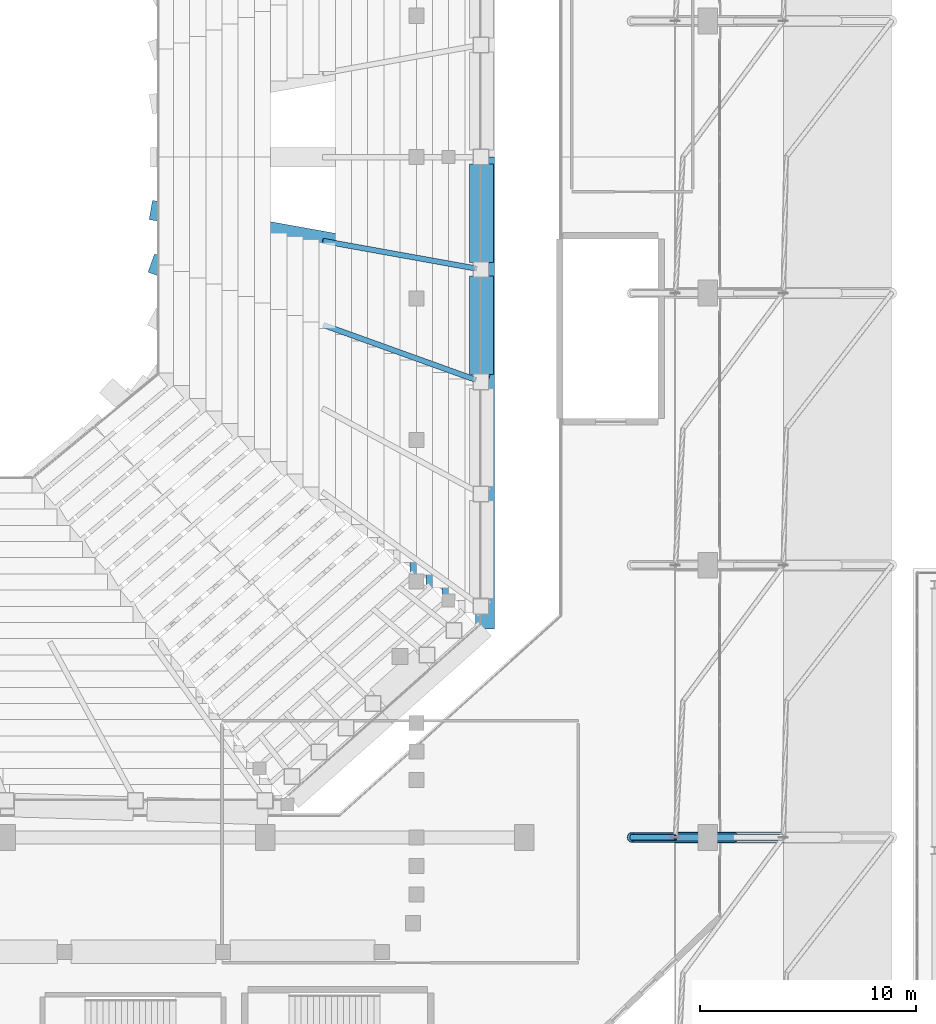
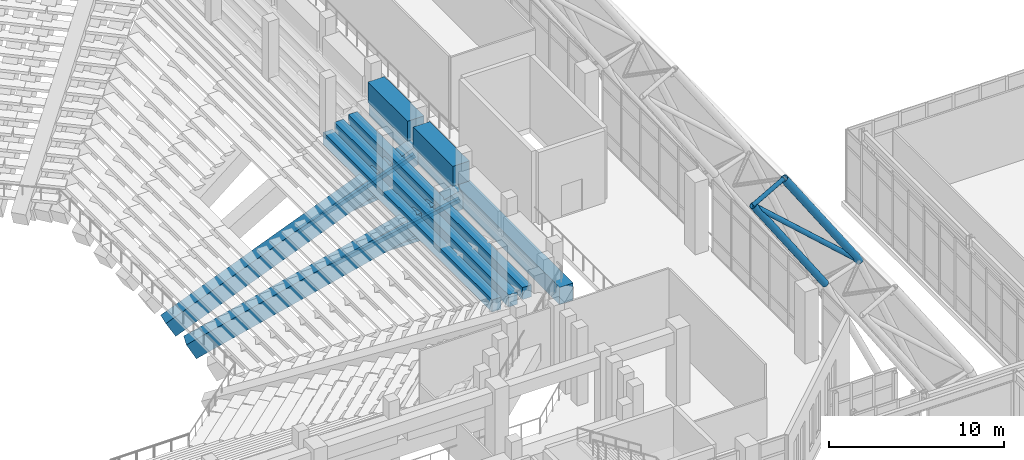
# One storey, part 40 of 159: 8 beams, 8 members.
"""IFC4 building model written with IfcOpenShell, lengths in metres."""

from ifc_helpers import new_model, si_unit, derived_unit, direction, frame, origin, origin_2d, place, context, subcontext, project, spatial, rectangle, hollow_rectangle, hollow_circle, extrude, material, material_profile, profile_set, type_object, element, save


model = new_model("IFC4")

# Units and contexts
model_context = context("Model", 3, precision=1e-05, world=origin(), true_north=direction((0.0, 1.0)))
body_context = subcontext(model_context, "Body", "Model", "MODEL_VIEW")
ifc_project = project(units=[si_unit("LENGTHUNIT", "METRE"), si_unit("AREAUNIT", "SQUARE_METRE"), si_unit("VOLUMEUNIT", "CUBIC_METRE"), si_unit("PLANEANGLEUNIT", "RADIAN"), si_unit("MASSUNIT", "GRAM", prefix="KILO"), derived_unit("THERMALTRANSMITTANCEUNIT", [(si_unit("MASSUNIT", "GRAM", prefix="KILO"), 1), (si_unit("TIMEUNIT", "SECOND"), -3), (si_unit("THERMODYNAMICTEMPERATUREUNIT", "KELVIN"), -1)])], contexts=[model_context])

# Site, building, storey
site_placement = place(None, origin())
site = spatial("IfcSite", under=ifc_project, at=site_placement, CompositionType="ELEMENT")
building_placement = place(site_placement, origin())
building = spatial("IfcBuilding", under=site, at=building_placement, Name="Valcora Ridge Arena", CompositionType="ELEMENT")
storey_placement = place(building_placement, frame((0.0, 0.0, 6.0)))
storey = spatial("IfcBuildingStorey", under=building, at=storey_placement, Name="L01", CompositionType="ELEMENT", Elevation=6.0)

# Beams
ifc_material_1 = material(Name="Concrete C40/50", Category="concrete")
ifc_material_profile_1 = material_profile(ifc_material_1, rectangle(XDim=0.60009765625, YDim=0.85009765625, at=origin_2d()), Name="RC 600x850")
ifc_profile_set_1 = profile_set([ifc_material_profile_1], Name="Concrete C40/50")
beam_type_1 = type_object("IfcBeamType", Name="TY-BEAM-B-RC600-X", PredefinedType="BEAM", material=ifc_profile_set_1)
beam_1_placement = place(storey_placement, frame((89.0, 44.739990234375, 1.014892578125), z_axis=(0.0, 1.0, 0.0), x_axis=(-1.0, 0.0, 0.0)))
element("IfcBeam", 1, at=beam_1_placement, inside=storey, type_object=beam_type_1, Name="B-RC600-X BEM-R2-B-RC600-X-0184", PredefinedType="BEAM", context=body_context, shape_type="SweptSolid", body=[
    extrude(rectangle(XDim=0.60009765625, YDim=0.85009765625, at=origin_2d()), origin(), (0.0, 0.0, 1.0), 19.360107421875),
])
beam_2_placement = place(storey_placement, frame((89.75, 44.155029296875, 1.455078125), z_axis=(0.0, 1.0, 0.0), x_axis=(-1.0, 0.0, 0.0)))
element("IfcBeam", 2, at=beam_2_placement, inside=storey, type_object=beam_type_1, Name="B-RC600-X BEM-R2-B-RC600-X-0196", PredefinedType="BEAM", context=body_context, shape_type="SweptSolid", body=[
    extrude(rectangle(XDim=0.60009765625, YDim=0.85009765625, at=origin_2d()), origin(), (0.0, 0.0, 1.0), 19.945068359375),
])
beam_3_placement = place(storey_placement, frame((90.5, 43.85009765625, 1.89501953125), z_axis=(0.0, 1.0, 0.0), x_axis=(-1.0, 0.0, 0.0)))
element("IfcBeam", 3, at=beam_3_placement, inside=storey, type_object=beam_type_1, Name="B-RC600-X BEM-R2-B-RC600-X-0208", PredefinedType="BEAM", context=body_context, shape_type="SweptSolid", body=[
    extrude(rectangle(XDim=0.60009765625, YDim=0.85009765625, at=origin_2d()), origin(), (0.0, 0.0, 1.0), 19.969970703125),
])
ifc_material_profile_2 = material_profile(ifc_material_1, rectangle(XDim=0.89990234375, YDim=1.199951171875, at=origin_2d()), Name="RC 900x1200")
ifc_profile_set_2 = profile_set([ifc_material_profile_2], Name="Concrete C40/50")
beam_type_2 = type_object("IfcBeamType", Name="TY-BEAM-RKR-LOW-1200", PredefinedType="USERDEFINED", material=ifc_profile_set_2)
beam_4_placement = place(storey_placement, frame((77.0, 59.10009765625, -6.489990234375), z_axis=(0.823725288993, -0.29654914823, 0.48325485094), x_axis=(0.338727602401, 0.940884483543, 0.0)))
element("IfcBeam", 4, at=beam_4_placement, inside=storey, type_object=beam_type_2, Name="RKR-LOW-1200 BEM-RK-RKR-LOW-1200-0018", ObjectType="RAKER", PredefinedType="USERDEFINED", context=body_context, shape_type="SweptSolid", body=[
    extrude(rectangle(XDim=0.89990234375, YDim=1.199951171875, at=origin_2d()), origin(), (0.0, 0.0, 1.0), 18.2099609375),
])
beam_5_placement = place(storey_placement, frame((77.0, 61.60009765625, -6.489990234375), z_axis=(0.852311367626, -0.153427143977, 0.500025443459), x_axis=(0.177165410988, 0.984181089612, 0.0)))
element("IfcBeam", 5, at=beam_5_placement, inside=storey, type_object=beam_type_2, Name="RKR-LOW-1200 BEM-RK-RKR-LOW-1200-0019", ObjectType="RAKER", PredefinedType="USERDEFINED", context=body_context, shape_type="SweptSolid", body=[
    extrude(rectangle(XDim=0.89990234375, YDim=1.199951171875, at=origin_2d()), origin(), (0.0, 0.0, 1.0), 17.59912109375),
])
ifc_material_2 = material(Name="Concrete C45/55", Category="concrete")
ifc_material_profile_3 = material_profile(ifc_material_2, rectangle(XDim=0.89990234375, YDim=1.199951171875, at=origin_2d()), Name="RC 900x1200")
ifc_profile_set_3 = profile_set([ifc_material_profile_3], Name="Concrete C45/55")
beam_type_3 = type_object("IfcBeamType", Name="TY-BEAM-RKR-RING-850", PredefinedType="USERDEFINED", material=ifc_profile_set_3)
beam_6_placement = place(storey_placement, frame((92.179931640625, 42.259521484375, 2.159912109375), z_axis=(0.0, 1.0, 0.0), x_axis=(-1.0, 0.0, 0.0)))
element("IfcBeam", 6, at=beam_6_placement, inside=storey, type_object=beam_type_3, Name="RKR-RING-850 BEM-R2-RKR-RING-850-0005", ObjectType="RAKER", PredefinedType="USERDEFINED", context=body_context, shape_type="SweptSolid", body=[
    extrude(rectangle(XDim=0.89990234375, YDim=1.199951171875, at=origin_2d()), origin(), (0.0, 0.0, 1.0), 21.840576171875),
])
ifc_material_profile_4 = material_profile(ifc_material_2, rectangle(XDim=1.10009765625, YDim=1.39990234375, at=origin_2d()), Name="RC 1100x1400")
ifc_profile_set_4 = profile_set([ifc_material_profile_4], Name="Concrete C45/55")
beam_type_4 = type_object("IfcBeamType", Name="TY-BEAM-RKR-URING-1100", PredefinedType="USERDEFINED", material=ifc_profile_set_4)
for number, where, z_axis, x_axis, name in (
    (7, (92.01953125, 54.03759765625, 3.47509765625), (0.0, 1.0, 0.0), (-1.0, 0.0, 0.0), "RKR-URING-1100 BEM-RU2-RKR-URING-1100-0015"),
    (8, (92.01953125, 59.228759765625, 3.47509765625), (0.0, 1.0, 0.0), (-1.0, 0.0, 0.0), "RKR-URING-1100 BEM-RU2-RKR-URING-1100-0016"),
):
    element("IfcBeam", number, at=place(storey_placement, frame(where, z_axis=z_axis, x_axis=x_axis)), inside=storey, type_object=beam_type_4, Name=name, ObjectType="RAKER", PredefinedType="USERDEFINED", context=body_context, shape_type="SweptSolid", body=[
        extrude(rectangle(XDim=1.10009765625, YDim=1.39990234375, at=origin_2d()), origin(), (0.0, 0.0, 1.0), 4.55126953125),
    ])

# Members
ifc_material_3 = material(Name="Steel ASTM A500 Grade C", Category="steel")
ifc_material_profile_5 = material_profile(ifc_material_3, hollow_rectangle(XDim=0.25, YDim=0.25, WallThickness=0.012451171875, at=origin_2d()), Name="HSS250X250X12")
ifc_profile_set_5 = profile_set([ifc_material_profile_5], Name="Steel ASTM A500 Grade C")
member_type_1 = type_object("IfcMemberType", Name="TY-MEMBER-RKRC-253", PredefinedType="CHORD", material=ifc_profile_set_5)
member_1_placement = place(storey_placement, frame((84.718505859375, 56.3212890625, -1.8388671875), z_axis=(0.909842319081, -0.327538176853, 0.254765965375), x_axis=(0.338714837769, 0.940889078837, 0.0)))
element("IfcMember", 9, at=member_1_placement, inside=storey, type_object=member_type_1, Name="RKRC-253 MBR-RK-RKRC-253-0018", PredefinedType="CHORD", context=body_context, shape_type="SweptSolid", body=[
    extrude(hollow_rectangle(XDim=0.25, YDim=0.25, WallThickness=0.012451171875, at=origin_2d()), origin(), (0.0, 0.0, 1.0), 7.722900390625),
])
member_2_placement = place(storey_placement, frame((84.727783203125, 60.208984375, -1.836181640625), z_axis=(0.948821177296, -0.170793762915, 0.265646125634), x_axis=(0.177158977377, 0.984182247724, 0.0)))
element("IfcMember", 10, at=member_2_placement, inside=storey, type_object=member_type_1, Name="RKRC-253 MBR-RK-RKRC-253-0019", PredefinedType="CHORD", context=body_context, shape_type="SweptSolid", body=[
    extrude(hollow_rectangle(XDim=0.25, YDim=0.25, WallThickness=0.012451171875, at=origin_2d()), origin(), (0.0, 0.0, 1.0), 7.384521484375),
])
ifc_material_profile_6 = material_profile(ifc_material_3, hollow_rectangle(XDim=0.25, YDim=0.25, WallThickness=0.012451171875, at=origin_2d()), Name="HSS250X250X12")
ifc_profile_set_6 = profile_set([ifc_material_profile_6], Name="Steel ASTM A500 Grade C")
member_type_2 = type_object("IfcMemberType", Name="TY-MEMBER-RKRD-253", PredefinedType="BRACE", material=ifc_profile_set_6)
member_3_placement = place(storey_placement, frame((84.702880859375, 56.326904296875, -1.744384765625), z_axis=(0.845160099491, -0.304251791003, 0.439471562107), x_axis=(0.338713707959, 0.940889485562, 0.0)))
element("IfcMember", 11, at=member_3_placement, inside=storey, type_object=member_type_2, Name="RKRD-253 Raker Diagonal Brace", PredefinedType="BRACE", context=body_context, shape_type="SweptSolid", body=[
    extrude(hollow_rectangle(XDim=0.25, YDim=0.25, WallThickness=0.012451171875, at=origin_2d()), origin(), (0.0, 0.0, 1.0), 8.35400390625),
])
member_4_placement = place(storey_placement, frame((84.710205078125, 60.212158203125, -1.74072265625), z_axis=(0.876114813191, -0.157709168216, 0.455577273762), x_axis=(0.177162249107, 0.984181658786, 0.0)))
element("IfcMember", 12, at=member_4_placement, inside=storey, type_object=member_type_2, Name="RKRD-253 Raker Diagonal Brace", PredefinedType="BRACE", context=body_context, shape_type="SweptSolid", body=[
    extrude(hollow_rectangle(XDim=0.25, YDim=0.25, WallThickness=0.012451171875, at=origin_2d()), origin(), (0.0, 0.0, 1.0), 8.04052734375),
])
ifc_material_profile_7 = material_profile(ifc_material_3, hollow_circle(Radius=0.228515625, WallThickness=0.01611328125, at=origin_2d()), Name="CHS457X16")
ifc_profile_set_7 = profile_set([ifc_material_profile_7], Name="Steel ASTM A500 Grade C")
member_type_3 = type_object("IfcMemberType", Name="TY-MEMBER-SFBC-457", PredefinedType="CHORD", material=ifc_profile_set_7)
member_5_placement = place(storey_placement, frame((98.95654296875, 32.60009765625, 11.845947265625), z_axis=(0.554844245473, 0.0, -0.831954243493), x_axis=(0.0, 1.0, 0.0)))
element("IfcMember", 13, at=member_5_placement, inside=storey, type_object=member_type_3, Name="SFBC-457 Space Frame Bottom Chord", PredefinedType="CHORD", context=body_context, shape_type="SweptSolid", body=[
    extrude(hollow_circle(Radius=0.228515625, WallThickness=0.01611328125, at=origin_2d()), origin(), (0.0, 0.0, 1.0), 8.60400390625),
])
ifc_material_profile_8 = material_profile(ifc_material_3, hollow_circle(Radius=0.136474609375, WallThickness=0.012451171875, at=origin_2d()), Name="CHS273X12")
ifc_profile_set_8 = profile_set([ifc_material_profile_8], Name="Steel ASTM A500 Grade C")
member_type_4 = type_object("IfcMemberType", Name="TY-MEMBER-SFKP-273", PredefinedType="POST", material=ifc_profile_set_8)
member_6_placement = place(storey_placement, frame((98.95654296875, 32.60009765625, 11.845947265625), z_axis=(0.870066770029, 0.0, 0.49293388572), x_axis=(0.0, 1.0, 0.0)))
element("IfcMember", 14, at=member_6_placement, inside=storey, type_object=member_type_4, Name="SFKP-273 Space Frame King Post", PredefinedType="POST", context=body_context, shape_type="SweptSolid", body=[
    extrude(hollow_circle(Radius=0.136474609375, WallThickness=0.012451171875, at=origin_2d()), origin(), (0.0, 0.0, 1.0), 2.3486328125),
])
ifc_material_profile_9 = material_profile(ifc_material_3, hollow_circle(Radius=0.25390625, WallThickness=0.01611328125, at=origin_2d()), Name="CHS508X16")
ifc_profile_set_9 = profile_set([ifc_material_profile_9], Name="Steel ASTM A500 Grade C")
member_type_5 = type_object("IfcMemberType", Name="TY-MEMBER-SFTC-508", PredefinedType="CHORD", material=ifc_profile_set_9)
member_7_placement = place(storey_placement, frame((101.0, 32.60009765625, 13.003662109375), z_axis=(0.554837731053, 0.0, -0.831958588032), x_axis=(0.0, 1.0, 0.0)))
element("IfcMember", 15, at=member_7_placement, inside=storey, type_object=member_type_5, Name="SFTC-508 Space Frame Top Chord", PredefinedType="CHORD", context=body_context, shape_type="SweptSolid", body=[
    extrude(hollow_circle(Radius=0.25390625, WallThickness=0.01611328125, at=origin_2d()), origin(), (0.0, 0.0, 1.0), 9.01171875),
])
ifc_material_profile_10 = material_profile(ifc_material_3, hollow_circle(Radius=0.161865234375, WallThickness=0.012451171875, at=origin_2d()), Name="CHS323X12")
ifc_profile_set_10 = profile_set([ifc_material_profile_10], Name="Steel ASTM A500 Grade C")
member_type_6 = type_object("IfcMemberType", Name="TY-MEMBER-SFWB-323", PredefinedType="BRACE", material=ifc_profile_set_10)
member_8_placement = place(storey_placement, frame((99.075439453125, 32.60009765625, 11.739013671875), z_axis=(0.743265934417, 0.0, -0.668996076771), x_axis=(0.0, 1.0, 0.0)))
element("IfcMember", 16, at=member_8_placement, inside=storey, type_object=member_type_6, Name="SFWB-323 Space Frame Diagonal Brace", PredefinedType="BRACE", context=body_context, shape_type="SweptSolid", body=[
    extrude(hollow_circle(Radius=0.161865234375, WallThickness=0.012451171875, at=origin_2d()), origin(), (0.0, 0.0, 1.0), 9.03662109375),
])

save(model, "model.ifc")
